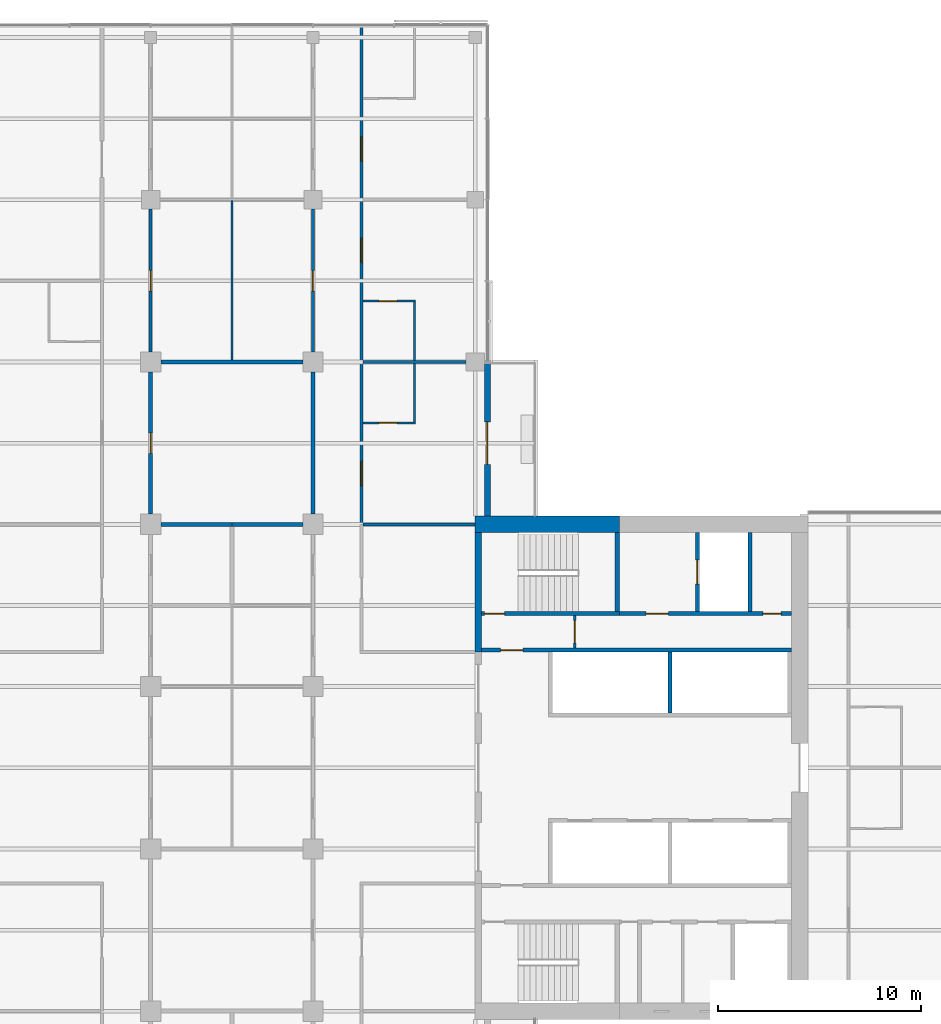
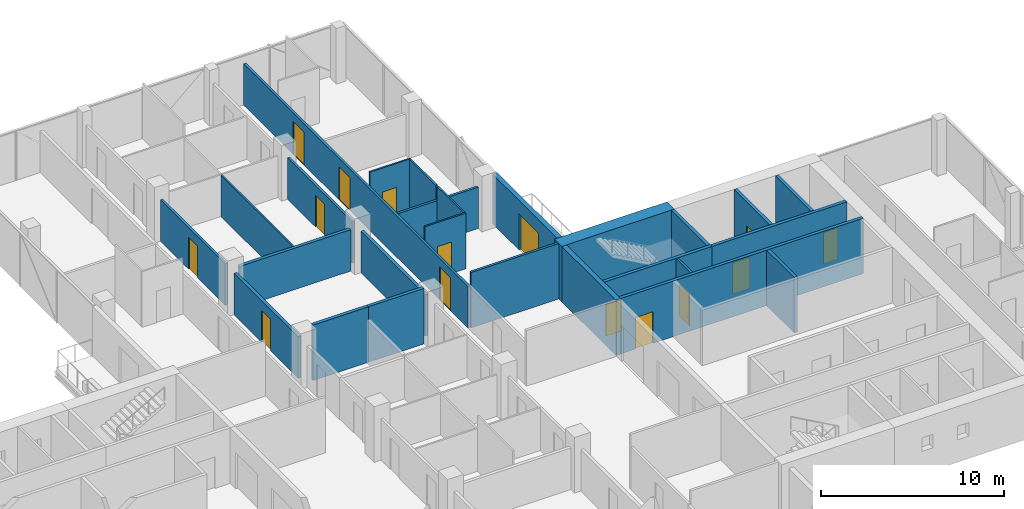
# One storey, part 20 of 27: 26 walls, 15 doors, 15 openings.
"""IFC4 building model written with IfcOpenShell, lengths in metres."""

from ifc_helpers import new_model, si_unit, direction, frame, frame_2d, origin, place, context, subcontext, project, spatial, rectangle, extrude, material, layer, layer_set, constituent, constituent_set, type_object, element, fill, save


model = new_model("IFC4")

# Units and contexts
model_context = context("Model", 3, precision=1e-05, world=origin(), true_north=direction((0.0, 1.0)))
body_context = subcontext(model_context, "Body", "Model", "MODEL_VIEW")
ifc_project = project(units=[si_unit("LENGTHUNIT", "METRE"), si_unit("AREAUNIT", "SQUARE_METRE"), si_unit("VOLUMEUNIT", "CUBIC_METRE"), si_unit("PLANEANGLEUNIT", "RADIAN"), si_unit("MASSUNIT", "GRAM", prefix="KILO")], contexts=[model_context])

# Site, building, storey
site_placement = place(None, origin())
site = spatial("IfcSite", under=ifc_project, at=site_placement, CompositionType="ELEMENT")
building_placement = place(site_placement, origin())
building = spatial("IfcBuilding", under=site, at=building_placement, Name="Crosswind Convention Tower", CompositionType="ELEMENT")
storey_placement = place(building_placement, frame((0.0, 0.0, 101.60009765625)))
storey = spatial("IfcBuildingStorey", under=building, at=storey_placement, Name="L20", CompositionType="ELEMENT", Elevation=101.60009765625)

# Wall
ifc_material_1 = material(Name="Concrete blockwork", Category="masonry")
ifc_layer_1 = layer(ifc_material_1, 0.199951171875)
ifc_layer_set_1 = layer_set([ifc_layer_1], Name="COMPARTMENT WALL 200")
wall_type_1 = type_object("IfcWallType", Name="COMPARTMENT WALL 200", PredefinedType="SOLIDWALL", material=ifc_layer_set_1)
wall_1_placement = place(storey_placement, frame((121.5, 112.0, 0.0), z_axis=(0.0, 0.0, 1.0), x_axis=(1.0, 0.0, 0.0)))
element("IfcWall", 1, at=wall_1_placement, inside=storey, type_object=wall_type_1, Name="Compartment Wall 36", PredefinedType="SOLIDWALL", context=body_context, shape_type="SweptSolid", body=[
    extrude(rectangle(XDim=3.5, YDim=0.199951171875, at=frame_2d((1.75, 0.0))), origin(), (0.0, 0.0, 1.0), 3.699951171875),
])

# Wall, opening, door
ifc_material_2 = material(Name="Plasterboard partition", Category="gypsum")
ifc_layer_2 = layer(ifc_material_2, 0.14990234375)
ifc_layer_set_2 = layer_set([ifc_layer_2], Name="CORRIDOR WALL 150")
wall_type_2 = type_object("IfcWallType", Name="CORRIDOR WALL 150", PredefinedType="PARTITIONING", material=ifc_layer_set_2)
wall_2_placement = place(storey_placement, frame((121.0, 120.5, 0.0), z_axis=(0.0, 0.0, 1.0), x_axis=(0.0, 1.0, 0.0)))
wall_2 = element("IfcWall", 2, at=wall_2_placement, inside=storey, type_object=wall_type_2, Name="Corridor Wall 71", PredefinedType="PARTITIONING", context=body_context, shape_type="SweptSolid", body=[
    extrude(rectangle(XDim=7.050048828125, YDim=0.14990234375, at=frame_2d((3.52490234375, 0.0))), origin(), (0.0, 0.0, 1.0), 2.760498046875),
])
opening_1_placement = place(wall_2_placement, frame((3.0, 0.0, 0.0)))
opening_1 = element("IfcOpeningElement", 3, at=opening_1_placement, cuts=wall_2, Name="Opening 20.054", PredefinedType="OPENING", context=body_context, shape_type="SweptSolid", body=[
    extrude(rectangle(XDim=1.0, YDim=2.10009765625, at=frame_2d((0.5, 1.050048828125))), frame((0.0, 0.0849609375, 0.0), z_axis=(0.0, -1.0, 0.0), x_axis=(1.0, 0.0, 0.0)), (0.0, 0.0, 1.0), 0.169921875),
])
ifc_material_3 = material(Name="Timber fire door", Category="wood")
door_type_1 = type_object("IfcDoorType", Name="SERVICE ROOM DOOR 1000X2100", OperationType="NOTDEFINED", PredefinedType="DOOR", material=ifc_material_3)
door_1_placement = place(opening_1_placement, frame((1.0, 0.0, 0.0), z_axis=(0.0, 0.0, 1.0), x_axis=(-1.0, 0.0, 0.0)))
door_1 = element("IfcDoor", 4, at=door_1_placement, inside=storey, type_object=door_type_1, Name="Door 20.054", ObjectType="D3", OperationType="SINGLE_SWING_LEFT", OverallHeight=2.10009765625, OverallWidth=1.0, PredefinedType="DOOR", context=body_context, shape_type="SweptSolid", body=[
    extrude(rectangle(XDim=1.0, YDim=2.10009765625, at=frame_2d((0.5, 1.050048828125))), frame((0.0, 0.02490234375, 0.0), z_axis=(0.0, -1.0, 0.0), x_axis=(1.0, 0.0, 0.0)), (0.0, 0.0, 1.0), 0.050048828125),
])
fill(opening_1, door_1)

wall_3_placement = place(storey_placement, frame((129.0, 120.5, 0.0), z_axis=(0.0, 0.0, 1.0), x_axis=(0.0, 1.0, 0.0)))
wall_3 = element("IfcWall", 5, at=wall_3_placement, inside=storey, type_object=wall_type_2, Name="Corridor Wall 90", PredefinedType="PARTITIONING", context=body_context, shape_type="SweptSolid", body=[
    extrude(rectangle(XDim=7.050048828125, YDim=0.14990234375, at=frame_2d((3.52490234375, 0.0))), origin(), (0.0, 0.0, 1.0), 2.760498046875),
])
opening_2_placement = place(wall_3_placement, frame((3.0, 0.0, 0.0)))
opening_2 = element("IfcOpeningElement", 6, at=opening_2_placement, cuts=wall_3, Name="Opening 20.055", PredefinedType="OPENING", context=body_context, shape_type="SweptSolid", body=[
    extrude(rectangle(XDim=1.0, YDim=2.10009765625, at=frame_2d((0.5, 1.050048828125))), frame((0.0, 0.0849609375, 0.0), z_axis=(0.0, -1.0, 0.0), x_axis=(1.0, 0.0, 0.0)), (0.0, 0.0, 1.0), 0.169921875),
])
door_2_placement = place(opening_2_placement, origin())
door_2 = element("IfcDoor", 7, at=door_2_placement, inside=storey, type_object=door_type_1, Name="Door 20.055", ObjectType="D3", OperationType="SINGLE_SWING_RIGHT", OverallHeight=2.10009765625, OverallWidth=1.0, PredefinedType="DOOR", context=body_context, shape_type="SweptSolid", body=[
    extrude(rectangle(XDim=1.0, YDim=2.10009765625, at=frame_2d((0.5, 1.050048828125))), frame((0.0, 0.02490234375, 0.0), z_axis=(0.0, -1.0, 0.0), x_axis=(1.0, 0.0, 0.0)), (0.0, 0.0, 1.0), 0.050048828125),
])
fill(opening_2, door_2)

# Walls
ifc_material_4 = material(Name="Concrete C50/60", Category="concrete")
ifc_layer_3 = layer(ifc_material_4, 0.300048828125)
ifc_layer_set_3 = layer_set([ifc_layer_3], Name="Concrete C50/60")
wall_type_3 = type_object("IfcWallType", Name="Concrete inner core wall 300", PredefinedType="SHEAR", material=ifc_layer_set_3)
wall_4_placement = place(storey_placement, frame((137.14990234375, 105.699951171875, 0.0), z_axis=(0.0, 0.0, 1.0), x_axis=(0.0, 1.0, 0.0)))
element("IfcWall", 8, at=wall_4_placement, inside=storey, type_object=wall_type_3, Name="Wall EP E L20", PredefinedType="SHEAR", context=body_context, shape_type="SweptSolid", body=[
    extrude(rectangle(XDim=5.900146484375, YDim=0.300048828125, at=frame_2d((2.9501953125, 0.0))), origin(), (0.0, 0.0, 1.0), 3.699951171875),
])
ifc_layer_4 = layer(ifc_material_4, 0.199951171875)
ifc_layer_set_4 = layer_set([ifc_layer_4], Name="Concrete C50/60")
wall_type_4 = type_object("IfcWallType", Name="Concrete shaft and stair wall 200", PredefinedType="SHEAR", material=ifc_layer_set_4)
wall_5_placement = place(storey_placement, frame((146.60009765625, 102.699951171875, 0.0), z_axis=(0.0, 0.0, 1.0), x_axis=(0.0, 1.0, 0.0)))
element("IfcWall", 9, at=wall_5_placement, inside=storey, type_object=wall_type_4, Name="Wall RPSEP E L20", PredefinedType="SHEAR", context=body_context, shape_type="SweptSolid", body=[
    extrude(rectangle(XDim=3.0, YDim=0.199951171875, at=frame_2d((1.5, 0.0))), origin(), (0.0, 0.0, 1.0), 3.699951171875),
])

# Wall, opening, door
wall_6_placement = place(storey_placement, frame((137.300048828125, 105.800048828125, 0.0), z_axis=(0.0, 0.0, 1.0), x_axis=(1.0, 0.0, 0.0)))
wall_6 = element("IfcWall", 10, at=wall_6_placement, inside=storey, type_object=wall_type_4, Name="Wall HP E L20", PredefinedType="SHEAR", context=body_context, shape_type="SweptSolid", body=[
    extrude(rectangle(XDim=15.300048828125, YDim=0.199951171875, at=frame_2d((7.64990234375, 0.0))), origin(), (0.0, 0.0, 1.0), 3.699951171875),
])
opening_3_placement = place(wall_6_placement, frame((0.949951171875, 0.0, 0.0)))
opening_3 = element("IfcOpeningElement", 11, at=opening_3_placement, cuts=wall_6, Name="Opening D104", PredefinedType="OPENING", context=body_context, shape_type="SweptSolid", body=[
    extrude(rectangle(XDim=1.10009765625, YDim=2.10009765625, at=frame_2d((0.550048828125, 1.050048828125))), frame((0.0, 0.10986328125, 0.0), z_axis=(0.0, -1.0, 0.0), x_axis=(1.0, 0.0, 0.0)), (0.0, 0.0, 1.0), 0.219970703125),
])
ifc_material_5 = material(Name="Steel fire door", Category="steel")
door_type_2 = type_object("IfcDoorType", Name="Fire-rated single door 1100x2100", OperationType="NOTDEFINED", PredefinedType="DOOR", material=ifc_material_5)
door_3_placement = place(opening_3_placement, origin())
door_3 = element("IfcDoor", 12, at=door_3_placement, inside=storey, type_object=door_type_2, Name="Corridor door L20", ObjectType="D104", OperationType="SINGLE_SWING_LEFT", OverallHeight=2.10009765625, OverallWidth=1.10009765625, PredefinedType="DOOR", context=body_context, shape_type="SweptSolid", body=[
    extrude(rectangle(XDim=1.10009765625, YDim=2.10009765625, at=frame_2d((0.550048828125, 1.050048828125))), frame((0.0, 0.02490234375, 0.0), z_axis=(0.0, -1.0, 0.0), x_axis=(1.0, 0.0, 0.0)), (0.0, 0.0, 1.0), 0.050048828125),
])
fill(opening_3, door_3)

# Wall
wall_7_placement = place(storey_placement, frame((144.0, 107.699951171875, 0.0), z_axis=(0.0, 0.0, 1.0), x_axis=(0.0, 1.0, 0.0)))
element("IfcWall", 13, at=wall_7_placement, inside=storey, type_object=wall_type_4, Name="Wall PSE E L20", PredefinedType="SHEAR", context=body_context, shape_type="SweptSolid", body=[
    extrude(rectangle(XDim=3.900146484375, YDim=0.199951171875, at=frame_2d((1.9501953125, 0.0))), origin(), (0.0, 0.0, 1.0), 3.699951171875),
])

# Wall, opening, door
wall_8_placement = place(storey_placement, frame((147.949951171875, 107.699951171875, 0.0), z_axis=(0.0, 0.0, 1.0), x_axis=(0.0, 1.0, 0.0)))
wall_8 = element("IfcWall", 14, at=wall_8_placement, inside=storey, type_object=wall_type_4, Name="Wall PFLW E L20", PredefinedType="SHEAR", context=body_context, shape_type="SweptSolid", body=[
    extrude(rectangle(XDim=3.900146484375, YDim=0.199951171875, at=frame_2d((1.9501953125, 0.0))), origin(), (0.0, 0.0, 1.0), 3.699951171875),
])
opening_4_placement = place(wall_8_placement, frame((1.35009765625, 0.0, 0.0)))
opening_4 = element("IfcOpeningElement", 15, at=opening_4_placement, cuts=wall_8, Name="Opening LD1", PredefinedType="OPENING", context=body_context, shape_type="SweptSolid", body=[
    extrude(rectangle(XDim=1.199951171875, YDim=2.10009765625, at=frame_2d((0.60009765625, 1.050048828125))), frame((0.0, 0.10986328125, 0.0), z_axis=(0.0, -1.0, 0.0), x_axis=(1.0, 0.0, 0.0)), (0.0, 0.0, 1.0), 0.219970703125),
])
ifc_material_6 = material(Name="Stainless steel", Category="steel")
door_type_3 = type_object("IfcDoorType", Name="Lift landing door 1200x2100", OperationType="DOUBLE_DOOR_SLIDING", PredefinedType="DOOR", material=ifc_material_6)
door_4_placement = place(opening_4_placement, origin())
door_4 = element("IfcDoor", 16, at=door_4_placement, inside=storey, type_object=door_type_3, Name="Landing door FF1 L20", ObjectType="LD1", OperationType="DOUBLE_DOOR_SLIDING", OverallHeight=2.10009765625, OverallWidth=1.199951171875, PredefinedType="DOOR", context=body_context, shape_type="SweptSolid", body=[
    extrude(rectangle(XDim=1.199951171875, YDim=2.10009765625, at=frame_2d((0.60009765625, 1.050048828125))), frame((0.0, 0.02490234375, 0.0), z_axis=(0.0, -1.0, 0.0), x_axis=(1.0, 0.0, 0.0)), (0.0, 0.0, 1.0), 0.050048828125),
])
fill(opening_4, door_4)

# Wall
wall_9_placement = place(storey_placement, frame((150.550048828125, 107.699951171875, 0.0), z_axis=(0.0, 0.0, 1.0), x_axis=(0.0, 1.0, 0.0)))
element("IfcWall", 17, at=wall_9_placement, inside=storey, type_object=wall_type_4, Name="Wall PFSE E L20", PredefinedType="SHEAR", context=body_context, shape_type="SweptSolid", body=[
    extrude(rectangle(XDim=3.900146484375, YDim=0.199951171875, at=frame_2d((1.9501953125, 0.0))), origin(), (0.0, 0.0, 1.0), 3.699951171875),
])

# Wall, opening, door
wall_10_placement = place(storey_placement, frame((137.300048828125, 107.60009765625, 0.0), z_axis=(0.0, 0.0, 1.0), x_axis=(1.0, 0.0, 0.0)))
wall_10 = element("IfcWall", 18, at=wall_10_placement, inside=storey, type_object=wall_type_4, Name="Wall PCW E L20", PredefinedType="SHEAR", context=body_context, shape_type="SweptSolid", body=[
    extrude(rectangle(XDim=6.800048828125, YDim=0.199951171875, at=frame_2d((3.39990234375, 0.0))), origin(), (0.0, 0.0, 1.0), 3.699951171875),
])
opening_5_placement = place(wall_10_placement, frame((0.14990234375, 0.0, 0.0)))
opening_5 = element("IfcOpeningElement", 19, at=opening_5_placement, cuts=wall_10, Name="Opening D103", PredefinedType="OPENING", context=body_context, shape_type="SweptSolid", body=[
    extrude(rectangle(XDim=1.0, YDim=2.10009765625, at=frame_2d((0.5, 1.050048828125))), frame((0.0, 0.10986328125, 0.0), z_axis=(0.0, -1.0, 0.0), x_axis=(1.0, 0.0, 0.0)), (0.0, 0.0, 1.0), 0.219970703125),
])
door_type_4 = type_object("IfcDoorType", Name="Fire-rated single door 1000x2100", OperationType="NOTDEFINED", PredefinedType="DOOR", material=ifc_material_5)
door_5_placement = place(opening_5_placement, origin())
door_5 = element("IfcDoor", 20, at=door_5_placement, inside=storey, type_object=door_type_4, Name="Stair ST1 door L20", ObjectType="D103", OperationType="SINGLE_SWING_LEFT", OverallHeight=2.10009765625, OverallWidth=1.0, PredefinedType="DOOR", context=body_context, shape_type="SweptSolid", body=[
    extrude(rectangle(XDim=1.0, YDim=2.10009765625, at=frame_2d((0.5, 1.050048828125))), frame((0.0, 0.02490234375, 0.0), z_axis=(0.0, -1.0, 0.0), x_axis=(1.0, 0.0, 0.0)), (0.0, 0.0, 1.0), 0.050048828125),
])
fill(opening_5, door_5)

# Wall, openings, doors
wall_11_placement = place(storey_placement, frame((144.10009765625, 107.60009765625, 0.0), z_axis=(0.0, 0.0, 1.0), x_axis=(1.0, 0.0, 0.0)))
wall_11 = element("IfcWall", 21, at=wall_11_placement, inside=storey, type_object=wall_type_4, Name="Wall PCX E L20", PredefinedType="SHEAR", context=body_context, shape_type="SweptSolid", body=[
    extrude(rectangle(XDim=8.5, YDim=0.199951171875, at=frame_2d((4.25, 0.0))), origin(), (0.0, 0.0, 1.0), 3.699951171875),
])
opening_6_placement = place(wall_11_placement, frame((1.324951171875, 0.0, 0.0)))
opening_6 = element("IfcOpeningElement", 22, at=opening_6_placement, cuts=wall_11, Name="Opening D104", PredefinedType="OPENING", context=body_context, shape_type="SweptSolid", body=[
    extrude(rectangle(XDim=1.10009765625, YDim=2.10009765625, at=frame_2d((0.550048828125, 1.050048828125))), frame((0.0, 0.10986328125, 0.0), z_axis=(0.0, -1.0, 0.0), x_axis=(1.0, 0.0, 0.0)), (0.0, 0.0, 1.0), 0.219970703125),
])
opening_7_placement = place(wall_11_placement, frame((7.074951171875, 0.0, 0.0)))
opening_7 = element("IfcOpeningElement", 23, at=opening_7_placement, cuts=wall_11, Name="Opening D106", PredefinedType="OPENING", context=body_context, shape_type="SweptSolid", body=[
    extrude(rectangle(XDim=0.89990234375, YDim=2.10009765625, at=frame_2d((0.449951171875, 1.050048828125))), frame((0.0, 0.10986328125, 0.0), z_axis=(0.0, -1.0, 0.0), x_axis=(1.0, 0.0, 0.0)), (0.0, 0.0, 1.0), 0.219970703125),
])
door_6_placement = place(opening_6_placement, origin())
door_6 = element("IfcDoor", 24, at=door_6_placement, inside=storey, type_object=door_type_2, Name="Fire-fighting lobby FF1 door L20", ObjectType="D104", OperationType="SINGLE_SWING_RIGHT", OverallHeight=2.10009765625, OverallWidth=1.10009765625, PredefinedType="DOOR", context=body_context, shape_type="SweptSolid", body=[
    extrude(rectangle(XDim=1.10009765625, YDim=2.10009765625, at=frame_2d((0.550048828125, 1.050048828125))), frame((0.0, 0.02490234375, 0.0), z_axis=(0.0, -1.0, 0.0), x_axis=(1.0, 0.0, 0.0)), (0.0, 0.0, 1.0), 0.050048828125),
])
fill(opening_6, door_6)
ifc_material_7 = material(Name="Timber door", Category="wood")
door_type_5 = type_object("IfcDoorType", Name="Single leaf door 900x2100", OperationType="NOTDEFINED", PredefinedType="DOOR", material=ifc_material_7)
door_7_placement = place(opening_7_placement, origin())
door_7 = element("IfcDoor", 25, at=door_7_placement, inside=storey, type_object=door_type_5, Name="Door to cleaners' store L20", ObjectType="D106", OperationType="SINGLE_SWING_RIGHT", OverallHeight=2.10009765625, OverallWidth=0.89990234375, PredefinedType="DOOR", context=body_context, shape_type="SweptSolid", body=[
    extrude(rectangle(XDim=0.89990234375, YDim=2.10009765625, at=frame_2d((0.449951171875, 1.050048828125))), frame((0.0, 0.02490234375, 0.0), z_axis=(0.0, -1.0, 0.0), x_axis=(1.0, 0.0, 0.0)), (0.0, 0.0, 1.0), 0.050048828125),
])
fill(opening_7, door_7)

# Wall, opening, door
ifc_material_8 = material(Name="Gypsum plasterboard partition", Category="gypsum")
ifc_layer_5 = layer(ifc_material_8, 0.125)
ifc_layer_set_5 = layer_set([ifc_layer_5], Name="Drywall partition wall 125")
wall_type_5 = type_object("IfcWallType", Name="Drywall partition wall 125", PredefinedType="PARTITIONING", material=ifc_layer_set_5)
wall_12_placement = place(storey_placement, frame((141.89990234375, 105.89990234375, 0.0), z_axis=(0.0, 0.0, 1.0), x_axis=(0.0, 1.0, 0.0)))
wall_12 = element("IfcWall", 26, at=wall_12_placement, inside=storey, type_object=wall_type_5, Name="Wall PXC1 E L20", PredefinedType="PARTITIONING", context=body_context, shape_type="SweptSolid", body=[
    extrude(rectangle(XDim=1.60009765625, YDim=0.125, at=frame_2d((0.800048828125, 0.0))), origin(), (0.0, 0.0, 1.0), 3.699951171875),
])
opening_8_placement = place(wall_12_placement, frame((0.25, 0.0, 0.0)))
opening_8 = element("IfcOpeningElement", 27, at=opening_8_placement, cuts=wall_12, Name="Opening D104", PredefinedType="OPENING", context=body_context, shape_type="SweptSolid", body=[
    extrude(rectangle(XDim=1.10009765625, YDim=2.10009765625, at=frame_2d((0.550048828125, 1.050048828125))), frame((0.0, 0.072509765625, 0.0), z_axis=(0.0, -1.0, 0.0), x_axis=(1.0, 0.0, 0.0)), (0.0, 0.0, 1.0), 0.14501953125),
])
door_8_placement = place(opening_8_placement, origin())
door_8 = element("IfcDoor", 28, at=door_8_placement, inside=storey, type_object=door_type_2, Name="Corridor smoke door L20", ObjectType="D104", OperationType="SINGLE_SWING_RIGHT", OverallHeight=2.10009765625, OverallWidth=1.10009765625, PredefinedType="DOOR", context=body_context, shape_type="SweptSolid", body=[
    extrude(rectangle(XDim=1.10009765625, YDim=2.10009765625, at=frame_2d((0.550048828125, 1.050048828125))), frame((0.0, 0.02490234375, 0.0), z_axis=(0.0, -1.0, 0.0), x_axis=(1.0, 0.0, 0.0)), (0.0, 0.0, 1.0), 0.050048828125),
])
fill(opening_8, door_8)

# Walls
ifc_material_9 = material(Name="Acoustic plasterboard partition", Category="gypsum")
ifc_layer_6 = layer(ifc_material_9, 0.14990234375)
ifc_layer_set_6 = layer_set([ifc_layer_6], Name="GUEST ROOM WALL 150")
wall_type_6 = type_object("IfcWallType", Name="GUEST ROOM WALL 150", PredefinedType="PARTITIONING", material=ifc_layer_set_6)
wall_13_placement = place(storey_placement, frame((131.47509765625, 112.0, 0.0), z_axis=(0.0, 0.0, 1.0), x_axis=(1.0, 0.0, 0.0)))
element("IfcWall", 29, at=wall_13_placement, inside=storey, type_object=wall_type_6, Name="Guest Room Wall 38", PredefinedType="PARTITIONING", context=body_context, shape_type="SweptSolid", body=[
    extrude(rectangle(XDim=5.52490234375, YDim=0.14990234375, at=frame_2d((2.762451171875, 0.0))), origin(), (0.0, 0.0, 1.0), 3.699951171875),
])
wall_14_placement = place(storey_placement, frame((131.47509765625, 120.0, 0.0), z_axis=(0.0, 0.0, 1.0), x_axis=(1.0, 0.0, 0.0)))
element("IfcWall", 30, at=wall_14_placement, inside=storey, type_object=wall_type_6, Name="Guest Room Wall 41", PredefinedType="PARTITIONING", context=body_context, shape_type="SweptSolid", body=[
    extrude(rectangle(XDim=5.074951171875, YDim=0.14990234375, at=frame_2d((2.53759765625, 0.0))), origin(), (0.0, 0.0, 1.0), 2.760498046875),
])

# Wall, openings, doors
wall_15_placement = place(storey_placement, frame((131.39990234375, 112.0, 0.0), z_axis=(0.0, 0.0, 1.0), x_axis=(0.0, 1.0, 0.0)))
wall_15 = element("IfcWall", 31, at=wall_15_placement, inside=storey, type_object=wall_type_6, Name="Guest Room Wall 97", PredefinedType="PARTITIONING", context=body_context, shape_type="SweptSolid", body=[
    extrude(rectangle(XDim=24.5, YDim=0.14990234375, at=frame_2d((12.25, 0.0))), origin(), (0.0, 0.0, 1.0), 2.760498046875),
])
opening_9_placement = place(wall_15_placement, frame((1.89990234375, 0.0, 0.0)))
opening_9 = element("IfcOpeningElement", 32, at=opening_9_placement, cuts=wall_15, Name="Opening 20.005", PredefinedType="OPENING", context=body_context, shape_type="SweptSolid", body=[
    extrude(rectangle(XDim=1.199951171875, YDim=2.199951171875, at=frame_2d((0.60009765625, 1.10009765625))), frame((0.0, 0.0849609375, 0.0), z_axis=(0.0, -1.0, 0.0), x_axis=(1.0, 0.0, 0.0)), (0.0, 0.0, 1.0), 0.169921875),
])
opening_10_placement = place(wall_15_placement, frame((12.89990234375, 0.0, 0.0)))
opening_10 = element("IfcOpeningElement", 33, at=opening_10_placement, cuts=wall_15, Name="Opening 20.007", PredefinedType="OPENING", context=body_context, shape_type="SweptSolid", body=[
    extrude(rectangle(XDim=1.199951171875, YDim=2.199951171875, at=frame_2d((0.60009765625, 1.10009765625))), frame((0.0, 0.0849609375, 0.0), z_axis=(0.0, -1.0, 0.0), x_axis=(1.0, 0.0, 0.0)), (0.0, 0.0, 1.0), 0.169921875),
])
opening_11_placement = place(wall_15_placement, frame((17.89990234375, 0.0, 0.0)))
opening_11 = element("IfcOpeningElement", 34, at=opening_11_placement, cuts=wall_15, Name="Opening 20.009", PredefinedType="OPENING", context=body_context, shape_type="SweptSolid", body=[
    extrude(rectangle(XDim=1.199951171875, YDim=2.199951171875, at=frame_2d((0.60009765625, 1.10009765625))), frame((0.0, 0.0849609375, 0.0), z_axis=(0.0, -1.0, 0.0), x_axis=(1.0, 0.0, 0.0)), (0.0, 0.0, 1.0), 0.169921875),
])
door_type_6 = type_object("IfcDoorType", Name="SUITE DOOR 1200X2200", OperationType="DOUBLE_DOOR_SINGLE_SWING", PredefinedType="DOOR", material=ifc_material_3)
door_9_placement = place(opening_9_placement, frame((1.199951171875, 0.0, 0.0), z_axis=(0.0, 0.0, 1.0), x_axis=(-1.0, 0.0, 0.0)))
door_9 = element("IfcDoor", 35, at=door_9_placement, inside=storey, type_object=door_type_6, Name="Door 20.005", ObjectType="D14", OperationType="DOUBLE_DOOR_SINGLE_SWING", OverallHeight=2.199951171875, OverallWidth=1.199951171875, PredefinedType="DOOR", context=body_context, shape_type="SweptSolid", body=[
    extrude(rectangle(XDim=1.199951171875, YDim=2.199951171875, at=frame_2d((0.60009765625, 1.10009765625))), frame((0.0, 0.02490234375, 0.0), z_axis=(0.0, -1.0, 0.0), x_axis=(1.0, 0.0, 0.0)), (0.0, 0.0, 1.0), 0.050048828125),
])
fill(opening_9, door_9)
door_10_placement = place(opening_10_placement, frame((1.199951171875, 0.0, 0.0), z_axis=(0.0, 0.0, 1.0), x_axis=(-1.0, 0.0, 0.0)))
door_10 = element("IfcDoor", 36, at=door_10_placement, inside=storey, type_object=door_type_6, Name="Door 20.007", ObjectType="D14", OperationType="DOUBLE_DOOR_SINGLE_SWING", OverallHeight=2.199951171875, OverallWidth=1.199951171875, PredefinedType="DOOR", context=body_context, shape_type="SweptSolid", body=[
    extrude(rectangle(XDim=1.199951171875, YDim=2.199951171875, at=frame_2d((0.60009765625, 1.10009765625))), frame((0.0, 0.02490234375, 0.0), z_axis=(0.0, -1.0, 0.0), x_axis=(1.0, 0.0, 0.0)), (0.0, 0.0, 1.0), 0.050048828125),
])
fill(opening_10, door_10)
door_11_placement = place(opening_11_placement, frame((1.199951171875, 0.0, 0.0), z_axis=(0.0, 0.0, 1.0), x_axis=(-1.0, 0.0, 0.0)))
door_11 = element("IfcDoor", 37, at=door_11_placement, inside=storey, type_object=door_type_6, Name="Door 20.009", ObjectType="D14", OperationType="DOUBLE_DOOR_SINGLE_SWING", OverallHeight=2.199951171875, OverallWidth=1.199951171875, PredefinedType="DOOR", context=body_context, shape_type="SweptSolid", body=[
    extrude(rectangle(XDim=1.199951171875, YDim=2.199951171875, at=frame_2d((0.60009765625, 1.10009765625))), frame((0.0, 0.02490234375, 0.0), z_axis=(0.0, -1.0, 0.0), x_axis=(1.0, 0.0, 0.0)), (0.0, 0.0, 1.0), 0.050048828125),
])
fill(opening_11, door_11)

# Walls
ifc_material_10 = material(Name="Double plasterboard partition", Category="gypsum")
ifc_layer_7 = layer(ifc_material_10, 0.199951171875)
ifc_layer_set_7 = layer_set([ifc_layer_7], Name="HALL WALL 200")
wall_type_7 = type_object("IfcWallType", Name="HALL WALL 200", PredefinedType="PARTITIONING", material=ifc_layer_set_7)
wall_16_placement = place(storey_placement, frame((125.0, 112.0, 0.0), z_axis=(0.0, 0.0, 1.0), x_axis=(1.0, 0.0, 0.0)))
element("IfcWall", 38, at=wall_16_placement, inside=storey, type_object=wall_type_7, Name="Hall Wall 37", PredefinedType="PARTITIONING", context=body_context, shape_type="SweptSolid", body=[
    extrude(rectangle(XDim=3.5, YDim=0.199951171875, at=frame_2d((1.75, 0.0))), origin(), (0.0, 0.0, 1.0), 3.699951171875),
])
wall_17_placement = place(storey_placement, frame((121.5, 120.0, 0.0), z_axis=(0.0, 0.0, 1.0), x_axis=(1.0, 0.0, 0.0)))
element("IfcWall", 39, at=wall_17_placement, inside=storey, type_object=wall_type_7, Name="Hall Wall 40", PredefinedType="PARTITIONING", context=body_context, shape_type="SweptSolid", body=[
    extrude(rectangle(XDim=7.0, YDim=0.199951171875, at=frame_2d((3.5, 0.0))), origin(), (0.0, 0.0, 1.0), 2.760498046875),
])

# Wall, opening, door
wall_18_placement = place(storey_placement, frame((121.0, 112.5, 0.0), z_axis=(0.0, 0.0, 1.0), x_axis=(0.0, 1.0, 0.0)))
wall_18 = element("IfcWall", 40, at=wall_18_placement, inside=storey, type_object=wall_type_7, Name="Hall Wall 70", PredefinedType="PARTITIONING", context=body_context, shape_type="SweptSolid", body=[
    extrude(rectangle(XDim=7.0, YDim=0.199951171875, at=frame_2d((3.5, 0.0))), origin(), (0.0, 0.0, 1.0), 2.760498046875),
])
opening_12_placement = place(wall_18_placement, frame((3.0, 0.0, 0.0)))
opening_12 = element("IfcOpeningElement", 41, at=opening_12_placement, cuts=wall_18, Name="Opening 20.053", PredefinedType="OPENING", context=body_context, shape_type="SweptSolid", body=[
    extrude(rectangle(XDim=1.0, YDim=2.10009765625, at=frame_2d((0.5, 1.050048828125))), frame((0.0, 0.10986328125, 0.0), z_axis=(0.0, -1.0, 0.0), x_axis=(1.0, 0.0, 0.0)), (0.0, 0.0, 1.0), 0.219970703125),
])
door_type_7 = type_object("IfcDoorType", Name="MEETING ROOM DOOR 1000X2100", OperationType="NOTDEFINED", PredefinedType="DOOR", material=ifc_material_3)
door_12_placement = place(opening_12_placement, origin())
door_12 = element("IfcDoor", 42, at=door_12_placement, inside=storey, type_object=door_type_7, Name="Door 20.053", ObjectType="D13", OperationType="SINGLE_SWING_RIGHT", OverallHeight=2.10009765625, OverallWidth=1.0, PredefinedType="DOOR", context=body_context, shape_type="SweptSolid", body=[
    extrude(rectangle(XDim=1.0, YDim=2.10009765625, at=frame_2d((0.5, 1.050048828125))), frame((0.0, 0.02490234375, 0.0), z_axis=(0.0, -1.0, 0.0), x_axis=(1.0, 0.0, 0.0)), (0.0, 0.0, 1.0), 0.050048828125),
])
fill(opening_12, door_12)

# Walls
wall_19_placement = place(storey_placement, frame((129.0, 112.5, 0.0), z_axis=(0.0, 0.0, 1.0), x_axis=(0.0, 1.0, 0.0)))
element("IfcWall", 43, at=wall_19_placement, inside=storey, type_object=wall_type_7, Name="Hall Wall 89", PredefinedType="PARTITIONING", context=body_context, shape_type="SweptSolid", body=[
    extrude(rectangle(XDim=7.0, YDim=0.199951171875, at=frame_2d((3.5, 0.0))), origin(), (0.0, 0.0, 1.0), 2.760498046875),
])
ifc_layer_8 = layer(ifc_material_2, 0.10009765625)
ifc_layer_set_8 = layer_set([ifc_layer_8], Name="PARTITION 100")
wall_type_8 = type_object("IfcWallType", Name="PARTITION 100", PredefinedType="PARTITIONING", material=ifc_layer_set_8)
wall_20_placement = place(storey_placement, frame((125.0, 120.10009765625, 0.0), z_axis=(0.0, 0.0, 1.0), x_axis=(0.0, 1.0, 0.0)))
element("IfcWall", 44, at=wall_20_placement, inside=storey, type_object=wall_type_8, Name="Partition 80", PredefinedType="PARTITIONING", context=body_context, shape_type="SweptSolid", body=[
    extrude(rectangle(XDim=7.849853515625, YDim=0.10009765625, at=frame_2d((3.9248046875, 0.0))), origin(), (0.0, 0.0, 1.0), 2.760498046875),
])

# Wall, opening, door
ifc_material_11 = material(Name="Terracotta rainscreen", Category="ceramic")
ifc_layer_9 = layer(ifc_material_11, 0.02001953125)
ifc_material_12 = material(Name="Mineral wool insulation", Category="insulation")
ifc_layer_10 = layer(ifc_material_12, 0.10009765625)
ifc_layer_11 = layer(ifc_material_1, 0.179931640625)
ifc_layer_set_9 = layer_set([ifc_layer_9, ifc_layer_10, ifc_layer_11], Name="TERRACOTTA INFILL WALL 300")
wall_type_9 = type_object("IfcWallType", Name="TERRACOTTA INFILL WALL 300", PredefinedType="SOLIDWALL", material=ifc_layer_set_9)
wall_21_placement = place(storey_placement, frame((137.60009765625, 112.39990234375, 0.0), z_axis=(0.0, 0.0, 1.0), x_axis=(0.0, 1.0, 0.0)))
wall_21 = element("IfcWall", 45, at=wall_21_placement, inside=storey, type_object=wall_type_9, Name="Notch front wall L20 N-E.1-1", PredefinedType="SOLIDWALL", context=body_context, shape_type="SweptSolid", body=[
    extrude(rectangle(XDim=7.567626953125, YDim=0.300048828125, at=frame_2d((3.78369140625, 0.0))), origin(), (0.0, 0.0, 1.0), 3.2998046875),
])
opening_13_placement = place(wall_21_placement, frame((2.550048828125, 0.0, 0.0)))
opening_13 = element("IfcOpeningElement", 46, at=opening_13_placement, cuts=wall_21, Name="Opening D141", PredefinedType="OPENING", context=body_context, shape_type="SweptSolid", body=[
    extrude(rectangle(XDim=2.10009765625, YDim=2.39990234375, at=frame_2d((1.050048828125, 1.199951171875))), frame((0.0, 0.159912109375, 0.0), z_axis=(0.0, -1.0, 0.0), x_axis=(1.0, 0.0, 0.0)), (0.0, 0.0, 1.0), 0.320068359375),
])
ifc_material_13 = material(Name="Aluminium glazed door", Category="aluminium")
door_type_8 = type_object("IfcDoorType", Name="BALCONY SLIDING DOOR 2100X2400", OperationType="SLIDING_TO_LEFT", PredefinedType="DOOR", material=ifc_material_13)
door_13_placement = place(opening_13_placement, frame((2.10009765625, 0.0, 0.0), z_axis=(0.0, 0.0, 1.0), x_axis=(-1.0, 0.0, 0.0)))
door_13 = element("IfcDoor", 47, at=door_13_placement, inside=storey, type_object=door_type_8, Name="D141 balcony door L20 N-E.1-1", ObjectType="D141", OperationType="SLIDING_TO_LEFT", OverallHeight=2.39990234375, OverallWidth=2.10009765625, PredefinedType="DOOR", context=body_context, shape_type="SweptSolid", body=[
    extrude(rectangle(XDim=2.10009765625, YDim=2.39990234375, at=frame_2d((1.050048828125, 1.199951171875))), frame((0.0, 0.02490234375, 0.0), z_axis=(0.0, -1.0, 0.0), x_axis=(1.0, 0.0, 0.0)), (0.0, 0.0, 1.0), 0.050048828125),
])
fill(opening_13, door_13)

# Wall
ifc_material_14 = material(Name="Concrete C60/75", Category="concrete")
ifc_constituent_1 = constituent(ifc_material_14, Name="Structure")
ifc_constituent_2 = constituent(ifc_material_11, Name="Facing")
ifc_constituent_set = constituent_set(constituents=[ifc_constituent_1, ifc_constituent_2], Name="Concrete C60/75, Terracotta rainscreen")
wall_type_10 = type_object("IfcWallType", Name="Terracotta rainscreen on concrete core wall 800", PredefinedType="SHEAR", material=ifc_constituent_set)
wall_22_placement = place(storey_placement, frame((137.0, 112.0, 0.0), z_axis=(0.0, 0.0, 1.0), x_axis=(1.0, 0.0, 0.0)))
element("IfcWall", 48, at=wall_22_placement, inside=storey, type_object=wall_type_10, Name="Wall N1 E L20", PredefinedType="SHEAR", context=body_context, shape_type="SweptSolid", body=[
    extrude(rectangle(XDim=7.10009765625, YDim=0.800048828125, at=frame_2d((3.550048828125, 0.0))), origin(), (0.0, 0.0, 1.0), 3.699951171875),
])

# Wall, opening, door
ifc_material_15 = material(Name="Water-resistant plasterboard partition", Category="gypsum")
ifc_layer_12 = layer(ifc_material_15, 0.10009765625)
ifc_layer_set_10 = layer_set([ifc_layer_12], Name="WET ROOM PARTITION 100")
wall_type_11 = type_object("IfcWallType", Name="WET ROOM PARTITION 100", PredefinedType="PLUMBINGWALL", material=ifc_layer_set_10)
wall_23_placement = place(storey_placement, frame((131.47509765625, 117.0, 0.0), z_axis=(0.0, 0.0, 1.0), x_axis=(1.0, 0.0, 0.0)))
wall_23 = element("IfcWall", 49, at=wall_23_placement, inside=storey, type_object=wall_type_11, Name="Wet Room Partition 39", PredefinedType="PLUMBINGWALL", context=body_context, shape_type="SweptSolid", body=[
    extrude(rectangle(XDim=2.574951171875, YDim=0.10009765625, at=frame_2d((1.28759765625, 0.0))), origin(), (0.0, 0.0, 1.0), 3.699951171875),
])
opening_14_placement = place(wall_23_placement, frame((0.77490234375, 0.0, 0.0)))
opening_14 = element("IfcOpeningElement", 50, at=opening_14_placement, cuts=wall_23, Name="Opening 20.006", PredefinedType="OPENING", context=body_context, shape_type="SweptSolid", body=[
    extrude(rectangle(XDim=0.89990234375, YDim=2.10009765625, at=frame_2d((0.449951171875, 1.050048828125))), frame((0.0, 0.06005859375, 0.0), z_axis=(0.0, -1.0, 0.0), x_axis=(1.0, 0.0, 0.0)), (0.0, 0.0, 1.0), 0.1201171875),
])
door_type_9 = type_object("IfcDoorType", Name="EN-SUITE DOOR 900X2100", OperationType="NOTDEFINED", PredefinedType="DOOR", material=ifc_material_7)
door_14_placement = place(opening_14_placement, origin())
door_14 = element("IfcDoor", 51, at=door_14_placement, inside=storey, type_object=door_type_9, Name="Door 20.006", ObjectType="D2", OperationType="SINGLE_SWING_RIGHT", OverallHeight=2.10009765625, OverallWidth=0.89990234375, PredefinedType="DOOR", context=body_context, shape_type="SweptSolid", body=[
    extrude(rectangle(XDim=0.89990234375, YDim=2.10009765625, at=frame_2d((0.449951171875, 1.050048828125))), frame((0.0, 0.02490234375, 0.0), z_axis=(0.0, -1.0, 0.0), x_axis=(1.0, 0.0, 0.0)), (0.0, 0.0, 1.0), 0.050048828125),
])
fill(opening_14, door_14)

wall_24_placement = place(storey_placement, frame((131.47509765625, 123.0, 0.0), z_axis=(0.0, 0.0, 1.0), x_axis=(1.0, 0.0, 0.0)))
wall_24 = element("IfcWall", 52, at=wall_24_placement, inside=storey, type_object=wall_type_11, Name="Wet Room Partition 43", PredefinedType="PLUMBINGWALL", context=body_context, shape_type="SweptSolid", body=[
    extrude(rectangle(XDim=2.574951171875, YDim=0.10009765625, at=frame_2d((1.28759765625, 0.0))), origin(), (0.0, 0.0, 1.0), 3.699951171875),
])
opening_15_placement = place(wall_24_placement, frame((0.77490234375, 0.0, 0.0)))
opening_15 = element("IfcOpeningElement", 53, at=opening_15_placement, cuts=wall_24, Name="Opening 20.008", PredefinedType="OPENING", context=body_context, shape_type="SweptSolid", body=[
    extrude(rectangle(XDim=0.89990234375, YDim=2.10009765625, at=frame_2d((0.449951171875, 1.050048828125))), frame((0.0, 0.06005859375, 0.0), z_axis=(0.0, -1.0, 0.0), x_axis=(1.0, 0.0, 0.0)), (0.0, 0.0, 1.0), 0.1201171875),
])
door_15_placement = place(opening_15_placement, frame((0.89990234375, 0.0, 0.0), z_axis=(0.0, 0.0, 1.0), x_axis=(-1.0, 0.0, 0.0)))
door_15 = element("IfcDoor", 54, at=door_15_placement, inside=storey, type_object=door_type_9, Name="Door 20.008", ObjectType="D2", OperationType="SINGLE_SWING_LEFT", OverallHeight=2.10009765625, OverallWidth=0.89990234375, PredefinedType="DOOR", context=body_context, shape_type="SweptSolid", body=[
    extrude(rectangle(XDim=0.89990234375, YDim=2.10009765625, at=frame_2d((0.449951171875, 1.050048828125))), frame((0.0, 0.02490234375, 0.0), z_axis=(0.0, -1.0, 0.0), x_axis=(1.0, 0.0, 0.0)), (0.0, 0.0, 1.0), 0.050048828125),
])
fill(opening_15, door_15)

# Walls
for number, where, z_axis, x_axis, name in (
    (55, (134.0, 117.050048828125, 0.0), (0.0, 0.0, 1.0), (0.0, 1.0, 0.0), "Wet Room Partition 101"),
    (56, (134.0, 120.074951171875, 0.0), (0.0, 0.0, 1.0), (0.0, 1.0, 0.0), "Wet Room Partition 102"),
):
    element("IfcWall", number, at=place(storey_placement, frame(where, z_axis=z_axis, x_axis=x_axis)), inside=storey, type_object=wall_type_11, Name=name, PredefinedType="PLUMBINGWALL", context=body_context, shape_type="SweptSolid", body=[
        extrude(rectangle(XDim=2.875, YDim=0.10009765625, at=frame_2d((1.4375, 0.0))), origin(), (0.0, 0.0, 1.0), 3.699951171875),
    ])

save(model, "model.ifc")
